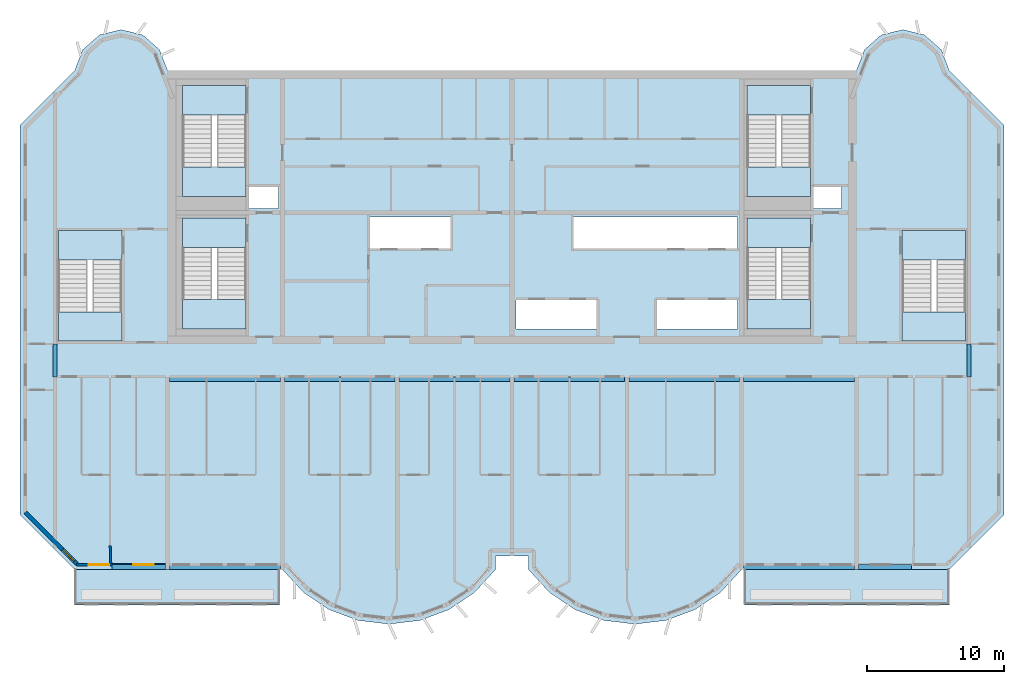
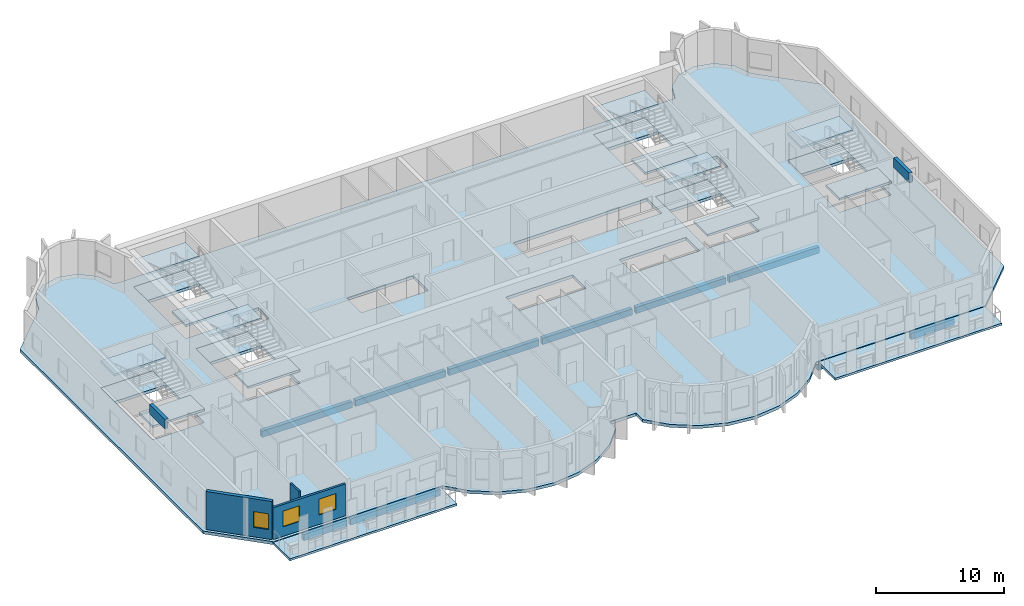
# One storey, part 1 of 11: 21 slabs, 12 beams, 3 walls, 3 windows, 3 openings, 6 elements without a shape of their own.
"""IFC4 building model written with IfcOpenShell, lengths in metres."""

from ifc_helpers import new_model, si_unit, direction, frame, frame_2d, origin, origin_2d, place, context, subcontext, project, spatial, polyline, rectangle, outline, extrude, source, transform, mapped, material, layer, layer_set, material_profile, profile_set, type_object, element, fill, aggregate, save


model = new_model("IFC4")

# Units and contexts
model_context = context("Model", 3, precision=1e-05, world=origin(), true_north=direction((0.0, 1.0)))
body_context = subcontext(model_context, "Body", "Model", "MODEL_VIEW")
ifc_project = project(units=[si_unit("LENGTHUNIT", "METRE"), si_unit("AREAUNIT", "SQUARE_METRE"), si_unit("VOLUMEUNIT", "CUBIC_METRE"), si_unit("PLANEANGLEUNIT", "RADIAN"), si_unit("MASSUNIT", "GRAM", prefix="KILO")], contexts=[model_context])

# Site, building, storey
site_placement = place(None, origin())
site = spatial("IfcSite", under=ifc_project, at=site_placement, CompositionType="ELEMENT")
building_placement = place(site_placement, origin())
building = spatial("IfcBuilding", under=site, at=building_placement, Name="Vanashikhar Sky Hotel", CompositionType="ELEMENT")
storey_placement = place(building_placement, frame((0.0, 0.0, 225.699951171875)))
storey = spatial("IfcBuildingStorey", under=building, at=storey_placement, Name="L54", CompositionType="ELEMENT", Elevation=225.699951171875)

# Beams
ifc_material_1 = material(Name="Concrete M50", Category="concrete")
ifc_material_profile_1 = material_profile(ifc_material_1, rectangle(XDim=0.300048828125, YDim=0.89990234375, at=origin_2d()))
ifc_profile_set_1 = profile_set([ifc_material_profile_1], Name="RC 300x900 beam Concrete M50")
beam_type_1 = type_object("IfcBeamType", Name="RC 300x900 beam Concrete M50", PredefinedType="LINTEL", material=ifc_profile_set_1)
shared_shape_1 = source(origin(), body_context, "Body", "SweptSolid", [
    extrude(rectangle(XDim=0.300048828125, YDim=0.89990234375, at=origin_2d()), origin(), (0.0, 0.0, 1.0), 2.39990234375),
])
for number, where, z_axis, x_axis, name in (
    (1, (16.949951171875, 19.60009765625, 3.170166015625), (0.0, 1.0, 0.0), (-1.0, 0.0, 0.0), "LB-L54-XW03"),
    (2, (83.85009765625, 19.60009765625, 3.170166015625), (0.0, 1.0, 0.0), (-1.0, 0.0, 0.0), "LB-L54-XW11"),
):
    element("IfcBeam", number, at=place(storey_placement, frame(where, z_axis=z_axis, x_axis=x_axis)), inside=storey, type_object=beam_type_1, Name=name, PredefinedType="LINTEL", context=body_context, shape_type="MappedRepresentation", body=[
        mapped(shared_shape_1, transform((0.0, 0.0, 0.0), scale=1.0)),
    ])
ifc_material_profile_2 = material_profile(ifc_material_1, rectangle(XDim=0.35009765625, YDim=0.60009765625, at=origin_2d()))
ifc_profile_set_2 = profile_set([ifc_material_profile_2], Name="RC 350x600 beam Concrete M50")
beam_type_2 = type_object("IfcBeamType", Name="RC 350x600 beam Concrete M50", PredefinedType="SPANDREL", material=ifc_profile_set_2)
shared_shape_2 = source(origin(), body_context, "Body", "SweptSolid", [
    extrude(rectangle(XDim=0.35009765625, YDim=0.60009765625, at=origin_2d()), origin(), (0.0, 0.0, 1.0), 8.099853515625),
])
for number, where, z_axis, x_axis, name in (
    (3, (25.35009765625, 5.675048828125, -0.579833984375), (1.0, 0.0, 0.0), (0.0, 1.0, 0.0), "EB-L54-F01"),
    (4, (67.35009765625, 5.675048828125, -0.579833984375), (1.0, 0.0, 0.0), (0.0, 1.0, 0.0), "EB-L54-F03"),
    (5, (25.35009765625, 19.425048828125, -0.579833984375), (1.0, 0.0, 0.0), (0.0, 1.0, 0.0), "CB-L54-01"),
    (6, (50.550048828125, 19.425048828125, -0.579833984375), (1.0, 0.0, 0.0), (0.0, 1.0, 0.0), "CB-L54-04"),
    (7, (67.35009765625, 19.425048828125, -0.579833984375), (1.0, 0.0, 0.0), (0.0, 1.0, 0.0), "CB-L54-06"),
):
    element("IfcBeam", number, at=place(storey_placement, frame(where, z_axis=z_axis, x_axis=x_axis)), inside=storey, type_object=beam_type_2, Name=name, PredefinedType="SPANDREL", context=body_context, shape_type="MappedRepresentation", body=[
        mapped(shared_shape_2, transform((0.0, 0.0, 0.0), scale=1.0)),
    ])
ifc_material_profile_3 = material_profile(ifc_material_1, rectangle(XDim=0.35009765625, YDim=0.60009765625, at=origin_2d()))
ifc_profile_set_3 = profile_set([ifc_material_profile_3], Name="RC 350x600 cantilever beam Concrete M50")
beam_type_3 = type_object("IfcBeamType", Name="RC 350x600 cantilever beam Concrete M50", PredefinedType="SPANDREL", material=ifc_profile_set_3)
shared_shape_3 = source(origin(), body_context, "Body", "SweptSolid", [
    extrude(rectangle(XDim=0.35009765625, YDim=0.60009765625, at=origin_2d()), origin(), (0.0, 0.0, 1.0), 3.900146484375),
])
beam_1_placement = place(storey_placement, frame((21.14990234375, 5.675048828125, -0.579833984375), z_axis=(1.0, 0.0, 0.0), x_axis=(0.0, 1.0, 0.0)))
element("IfcBeam", 8, at=beam_1_placement, inside=storey, type_object=beam_type_3, Name="EB-L54-F02", PredefinedType="SPANDREL", context=body_context, shape_type="MappedRepresentation", body=[
    mapped(shared_shape_3, transform((0.0, 0.0, 0.0), scale=1.0)),
])
shared_shape_4 = source(origin(), body_context, "Body", "SweptSolid", [
    extrude(rectangle(XDim=0.35009765625, YDim=0.60009765625, at=origin_2d()), origin(), (0.0, 0.0, 1.0), 3.89990234375),
])
beam_2_placement = place(storey_placement, frame((75.75, 5.675048828125, -0.579833984375), z_axis=(1.0, 0.0, 0.0), x_axis=(0.0, 1.0, 0.0)))
element("IfcBeam", 9, at=beam_2_placement, inside=storey, type_object=beam_type_3, Name="EB-L54-F04", PredefinedType="SPANDREL", context=body_context, shape_type="MappedRepresentation", body=[
    mapped(shared_shape_4, transform((0.0, 0.0, 0.0), scale=1.0)),
])
shared_shape_5 = source(origin(), body_context, "Body", "SweptSolid", [
    extrude(rectangle(XDim=0.35009765625, YDim=0.60009765625, at=origin_2d()), origin(), (0.0, 0.0, 1.0), 8.10009765625),
])
for number, where, z_axis, x_axis, name in (
    (10, (33.75, 19.425048828125, -0.579833984375), (1.0, 0.0, 0.0), (0.0, 1.0, 0.0), "CB-L54-02"),
    (11, (42.14990234375, 19.425048828125, -0.579833984375), (1.0, 0.0, 0.0), (0.0, 1.0, 0.0), "CB-L54-03"),
    (12, (58.949951171875, 19.425048828125, -0.579833984375), (1.0, 0.0, 0.0), (0.0, 1.0, 0.0), "CB-L54-05"),
):
    element("IfcBeam", number, at=place(storey_placement, frame(where, z_axis=z_axis, x_axis=x_axis)), inside=storey, type_object=beam_type_2, Name=name, PredefinedType="SPANDREL", context=body_context, shape_type="MappedRepresentation", body=[
        mapped(shared_shape_5, transform((0.0, 0.0, 0.0), scale=1.0)),
    ])

# Slabs
ifc_material_2 = material(Name="Concrete M40", Category="concrete")
ifc_layer_1 = layer(ifc_material_2, 0.280029296875)
ifc_layer_set_1 = layer_set([ifc_layer_1], Name="Floor slab 280 mm")
slab_type_1 = type_object("IfcSlabType", Name="Floor slab 280 mm", PredefinedType="FLOOR", material=ifc_layer_set_1)
shared_shape_6 = source(origin(), body_context, "Body", "SweptSolid", [
    extrude(outline(polyline([(49.199951171875, 5.5), (49.199951171875, 6.5), (51.60009765625, 6.5), (51.60009765625, 5.5), (53.133056640625, 3.825927734375), (55.01708984375, 2.55810546875), (57.14599609375, 1.76806640625), (59.39990234375, 1.5), (61.654052734375, 1.76806640625), (63.782958984375, 2.55810546875), (65.6669921875, 3.825927734375), (67.199951171875, 5.5), (82.39990234375, 5.5), (86.39990234375, 9.5), (86.39990234375, 38.0), (82.39990234375, 42.0), (81.81494140625, 43.527099609375), (80.587890625, 44.610107421875), (79.0, 45.0), (77.412109375, 44.610107421875), (76.18505859375, 43.527099609375), (75.60009765625, 42.0), (25.199951171875, 42.0), (24.614990234375, 43.527099609375), (23.387939453125, 44.610107421875), (21.800048828125, 45.0), (20.2119140625, 44.610107421875), (18.985107421875, 43.527099609375), (18.39990234375, 42.0), (14.39990234375, 38.0), (14.39990234375, 9.5), (18.39990234375, 5.5), (33.60009765625, 5.5), (35.133056640625, 3.825927734375), (37.01708984375, 2.55810546875), (39.14599609375, 1.76806640625), (41.39990234375, 1.5), (43.654052734375, 1.76806640625), (45.782958984375, 2.55810546875), (47.6669921875, 3.825927734375), (49.199951171875, 5.5)]), holes=[polyline([(33.300048828125, 33.60009765625), (31.050048828125, 33.60009765625), (31.050048828125, 31.89990234375), (33.300048828125, 31.89990234375), (33.300048828125, 33.60009765625)]), polyline([(39.89990234375, 31.300048828125), (39.89990234375, 29.0), (45.89990234375, 29.0), (45.89990234375, 31.300048828125), (39.89990234375, 31.300048828125)]), polyline([(50.699951171875, 25.199951171875), (50.699951171875, 23.10009765625), (56.699951171875, 23.10009765625), (56.699951171875, 25.199951171875), (50.699951171875, 25.199951171875)]), polyline([(66.89990234375, 29.0), (66.89990234375, 31.300048828125), (54.89990234375, 31.300048828125), (54.89990234375, 29.0), (66.89990234375, 29.0)]), polyline([(60.89990234375, 25.199951171875), (60.89990234375, 23.10009765625), (66.89990234375, 23.10009765625), (66.89990234375, 25.199951171875), (60.89990234375, 25.199951171875)]), polyline([(74.5, 33.60009765625), (72.35009765625, 33.60009765625), (72.35009765625, 31.89990234375), (74.5, 31.89990234375), (74.5, 33.60009765625)]), polyline([(30.949951171875, 23.10009765625), (30.949951171875, 31.199951171875), (26.300048828125, 31.199951171875), (26.300048828125, 23.10009765625), (30.949951171875, 23.10009765625)]), polyline([(72.25, 23.10009765625), (72.25, 31.199951171875), (67.60009765625, 31.199951171875), (67.60009765625, 23.10009765625), (72.25, 23.10009765625)]), polyline([(30.949951171875, 32.800048828125), (30.949951171875, 40.89990234375), (26.300048828125, 40.89990234375), (26.300048828125, 32.800048828125), (30.949951171875, 32.800048828125)]), polyline([(72.25, 32.800048828125), (72.25, 40.89990234375), (67.60009765625, 40.89990234375), (67.60009765625, 32.800048828125), (72.25, 32.800048828125)]), polyline([(83.60009765625, 22.199951171875), (83.60009765625, 30.300048828125), (78.949951171875, 30.300048828125), (78.949951171875, 22.199951171875), (83.60009765625, 22.199951171875)]), polyline([(21.85009765625, 22.199951171875), (21.85009765625, 30.300048828125), (17.199951171875, 30.300048828125), (17.199951171875, 22.199951171875), (21.85009765625, 22.199951171875)])]), origin(), (0.0, 0.0, 1.0), 0.280029296875),
])
slab_1_placement = place(storey_placement, frame((0.0, 0.0, -0.280029296875)))
element("IfcSlab", 13, at=slab_1_placement, inside=storey, type_object=slab_type_1, Name="Floor slab L54", PredefinedType="FLOOR", context=body_context, shape_type="MappedRepresentation", body=[
    mapped(shared_shape_6, transform((0.0, 0.0, 0.0), scale=1.0)),
])
ifc_layer_2 = layer(ifc_material_2, 0.199951171875)
ifc_layer_set_2 = layer_set([ifc_layer_2], Name="Balcony slab 200 mm")
slab_type_2 = type_object("IfcSlabType", Name="Balcony slab 200 mm", PredefinedType="USERDEFINED", material=ifc_layer_set_2)
shared_shape_7 = source(origin(), body_context, "Body", "SweptSolid", [
    extrude(outline(polyline([(18.39990234375, 2.89990234375), (33.39990234375, 2.89990234375), (33.39990234375, 5.5), (18.39990234375, 5.5), (18.39990234375, 2.89990234375)])), origin(), (0.0, 0.0, 1.0), 0.199951171875),
])
slab_2_placement = place(storey_placement, frame((0.0, 0.0, -0.25)))
element("IfcSlab", 14, at=slab_2_placement, inside=storey, type_object=slab_type_2, Name="Balcony slab L54 1", ObjectType="BALCONY", PredefinedType="USERDEFINED", context=body_context, shape_type="MappedRepresentation", body=[
    mapped(shared_shape_7, transform((0.0, 0.0, 0.0), scale=1.0)),
])
shared_shape_8 = source(origin(), body_context, "Body", "SweptSolid", [
    extrude(outline(polyline([(67.39990234375, 2.89990234375), (82.39990234375, 2.89990234375), (82.39990234375, 5.5), (67.39990234375, 5.5), (67.39990234375, 2.89990234375)])), origin(), (0.0, 0.0, 1.0), 0.199951171875),
])
slab_3_placement = place(storey_placement, frame((0.0, 0.0, -0.25)))
element("IfcSlab", 15, at=slab_3_placement, inside=storey, type_object=slab_type_2, Name="Balcony slab L54 2", ObjectType="BALCONY", PredefinedType="USERDEFINED", context=body_context, shape_type="MappedRepresentation", body=[
    mapped(shared_shape_8, transform((0.0, 0.0, 0.0), scale=1.0)),
])

# Stair, slabs
stair_type = type_object("IfcStairType", Name="Exit stair 2150", PredefinedType="DOUBLE_RETURN_STAIR", material=ifc_material_2)
stair_1_placement = place(storey_placement, origin())
stair_1 = element("IfcStair", 16, at=stair_1_placement, inside=storey, type_object=stair_type, Name="L54 Exit stair 1", PredefinedType="DOUBLE_RETURN_STAIR")
ifc_layer_3 = layer(ifc_material_2, 0.199951171875)
ifc_layer_set_3 = layer_set([ifc_layer_3], Name="Stair landing 200")
slab_type_3 = type_object("IfcSlabType", Name="Stair landing 200", PredefinedType="LANDING", material=ifc_layer_set_3)
shared_shape_9 = source(origin(), body_context, "Body", "SweptSolid", [
    extrude(outline(polyline([(30.949951171875, 29.050048828125), (30.949951171875, 31.199951171875), (26.300048828125, 31.199951171875), (26.300048828125, 29.050048828125), (30.949951171875, 29.050048828125)])), origin(), (0.0, 0.0, 1.0), 0.199951171875),
])
slab_4_placement = place(storey_placement, frame((0.0, 0.0, 2.400146484375)))
slab_4 = element("IfcSlab", 17, at=slab_4_placement, type_object=slab_type_3, Name="ST-C1 landing 2", PredefinedType="LANDING", context=body_context, shape_type="MappedRepresentation", body=[
    mapped(shared_shape_9, transform((0.0, 0.0, 0.0), scale=1.0)),
])
shared_shape_10 = source(origin(), body_context, "Body", "SweptSolid", [
    extrude(outline(polyline([(30.949951171875, 23.10009765625), (30.949951171875, 25.25), (26.300048828125, 25.25), (26.300048828125, 23.10009765625), (30.949951171875, 23.10009765625)])), origin(), (0.0, 0.0, 1.0), 0.199951171875),
])
slab_5_placement = place(storey_placement, frame((0.0, 0.0, 1.10009765625)))
slab_5 = element("IfcSlab", 18, at=slab_5_placement, type_object=slab_type_3, Name="ST-C1 landing 1", PredefinedType="LANDING", context=body_context, shape_type="MappedRepresentation", body=[
    mapped(shared_shape_10, transform((0.0, 0.0, 0.0), scale=1.0)),
])
aggregate(stair_1, [slab_5, slab_4])

# Slab
ifc_layer_4 = layer(ifc_material_2, 0.280029296875)
ifc_layer_set_4 = layer_set([ifc_layer_4], Name="Stair floor landing 280")
slab_type_4 = type_object("IfcSlabType", Name="Stair floor landing 280", PredefinedType="LANDING", material=ifc_layer_set_4)
shared_shape_11 = source(origin(), body_context, "Body", "SweptSolid", [
    extrude(outline(polyline([(30.949951171875, 29.050048828125), (30.949951171875, 31.199951171875), (26.300048828125, 31.199951171875), (26.300048828125, 29.050048828125), (30.949951171875, 29.050048828125)])), origin(), (0.0, 0.0, 1.0), 0.280029296875),
])
slab_6_placement = place(storey_placement, frame((0.0, 0.0, -0.280029296875)))
element("IfcSlab", 19, at=slab_6_placement, inside=storey, type_object=slab_type_4, Name="Exit stair 1 floor landing", PredefinedType="LANDING", context=body_context, shape_type="MappedRepresentation", body=[
    mapped(shared_shape_11, transform((0.0, 0.0, 0.0), scale=1.0)),
])

# Stair, slabs
stair_2_placement = place(storey_placement, origin())
stair_2 = element("IfcStair", 20, at=stair_2_placement, inside=storey, type_object=stair_type, Name="L54 Exit stair 2", PredefinedType="DOUBLE_RETURN_STAIR")
shared_shape_12 = source(origin(), body_context, "Body", "SweptSolid", [
    extrude(outline(polyline([(72.25, 29.050048828125), (72.25, 31.199951171875), (67.60009765625, 31.199951171875), (67.60009765625, 29.050048828125), (72.25, 29.050048828125)])), origin(), (0.0, 0.0, 1.0), 0.199951171875),
])
slab_7_placement = place(storey_placement, frame((0.0, 0.0, 2.400146484375)))
slab_7 = element("IfcSlab", 21, at=slab_7_placement, type_object=slab_type_3, Name="ST-C2 landing 2", PredefinedType="LANDING", context=body_context, shape_type="MappedRepresentation", body=[
    mapped(shared_shape_12, transform((0.0, 0.0, 0.0), scale=1.0)),
])
shared_shape_13 = source(origin(), body_context, "Body", "SweptSolid", [
    extrude(outline(polyline([(72.25, 23.10009765625), (72.25, 25.25), (67.60009765625, 25.25), (67.60009765625, 23.10009765625), (72.25, 23.10009765625)])), origin(), (0.0, 0.0, 1.0), 0.199951171875),
])
slab_8_placement = place(storey_placement, frame((0.0, 0.0, 1.10009765625)))
slab_8 = element("IfcSlab", 22, at=slab_8_placement, type_object=slab_type_3, Name="ST-C2 landing 1", PredefinedType="LANDING", context=body_context, shape_type="MappedRepresentation", body=[
    mapped(shared_shape_13, transform((0.0, 0.0, 0.0), scale=1.0)),
])
aggregate(stair_2, [slab_8, slab_7])

# Slab
shared_shape_14 = source(origin(), body_context, "Body", "SweptSolid", [
    extrude(outline(polyline([(72.25, 29.050048828125), (72.25, 31.199951171875), (67.60009765625, 31.199951171875), (67.60009765625, 29.050048828125), (72.25, 29.050048828125)])), origin(), (0.0, 0.0, 1.0), 0.280029296875),
])
slab_9_placement = place(storey_placement, frame((0.0, 0.0, -0.280029296875)))
element("IfcSlab", 23, at=slab_9_placement, inside=storey, type_object=slab_type_4, Name="Exit stair 2 floor landing", PredefinedType="LANDING", context=body_context, shape_type="MappedRepresentation", body=[
    mapped(shared_shape_14, transform((0.0, 0.0, 0.0), scale=1.0)),
])

# Stair, slabs
stair_3_placement = place(storey_placement, origin())
stair_3 = element("IfcStair", 24, at=stair_3_placement, inside=storey, type_object=stair_type, Name="L54 Exit stair 3", PredefinedType="DOUBLE_RETURN_STAIR")
shared_shape_15 = source(origin(), body_context, "Body", "SweptSolid", [
    extrude(outline(polyline([(21.85009765625, 28.14990234375), (21.85009765625, 30.300048828125), (17.199951171875, 30.300048828125), (17.199951171875, 28.14990234375), (21.85009765625, 28.14990234375)])), origin(), (0.0, 0.0, 1.0), 0.199951171875),
])
slab_10_placement = place(storey_placement, frame((0.0, 0.0, 2.400146484375)))
slab_10 = element("IfcSlab", 25, at=slab_10_placement, type_object=slab_type_3, Name="ST-W landing 2", PredefinedType="LANDING", context=body_context, shape_type="MappedRepresentation", body=[
    mapped(shared_shape_15, transform((0.0, 0.0, 0.0), scale=1.0)),
])
shared_shape_16 = source(origin(), body_context, "Body", "SweptSolid", [
    extrude(outline(polyline([(21.85009765625, 22.199951171875), (21.85009765625, 24.35009765625), (17.199951171875, 24.35009765625), (17.199951171875, 22.199951171875), (21.85009765625, 22.199951171875)])), origin(), (0.0, 0.0, 1.0), 0.199951171875),
])
slab_11_placement = place(storey_placement, frame((0.0, 0.0, 1.10009765625)))
slab_11 = element("IfcSlab", 26, at=slab_11_placement, type_object=slab_type_3, Name="ST-W landing 1", PredefinedType="LANDING", context=body_context, shape_type="MappedRepresentation", body=[
    mapped(shared_shape_16, transform((0.0, 0.0, 0.0), scale=1.0)),
])
aggregate(stair_3, [slab_11, slab_10])

# Slab
shared_shape_17 = source(origin(), body_context, "Body", "SweptSolid", [
    extrude(outline(polyline([(21.85009765625, 28.14990234375), (21.85009765625, 30.300048828125), (17.199951171875, 30.300048828125), (17.199951171875, 28.14990234375), (21.85009765625, 28.14990234375)])), origin(), (0.0, 0.0, 1.0), 0.280029296875),
])
slab_12_placement = place(storey_placement, frame((0.0, 0.0, -0.280029296875)))
element("IfcSlab", 27, at=slab_12_placement, inside=storey, type_object=slab_type_4, Name="Exit stair 3 floor landing", PredefinedType="LANDING", context=body_context, shape_type="MappedRepresentation", body=[
    mapped(shared_shape_17, transform((0.0, 0.0, 0.0), scale=1.0)),
])

# Stair, slabs
stair_4_placement = place(storey_placement, origin())
stair_4 = element("IfcStair", 28, at=stair_4_placement, inside=storey, type_object=stair_type, Name="L54 Exit stair 4", PredefinedType="DOUBLE_RETURN_STAIR")
shared_shape_18 = source(origin(), body_context, "Body", "SweptSolid", [
    extrude(outline(polyline([(83.60009765625, 28.14990234375), (83.60009765625, 30.300048828125), (78.949951171875, 30.300048828125), (78.949951171875, 28.14990234375), (83.60009765625, 28.14990234375)])), origin(), (0.0, 0.0, 1.0), 0.199951171875),
])
slab_13_placement = place(storey_placement, frame((0.0, 0.0, 2.400146484375)))
slab_13 = element("IfcSlab", 29, at=slab_13_placement, type_object=slab_type_3, Name="ST-E landing 2", PredefinedType="LANDING", context=body_context, shape_type="MappedRepresentation", body=[
    mapped(shared_shape_18, transform((0.0, 0.0, 0.0), scale=1.0)),
])
shared_shape_19 = source(origin(), body_context, "Body", "SweptSolid", [
    extrude(outline(polyline([(83.60009765625, 22.199951171875), (83.60009765625, 24.35009765625), (78.949951171875, 24.35009765625), (78.949951171875, 22.199951171875), (83.60009765625, 22.199951171875)])), origin(), (0.0, 0.0, 1.0), 0.199951171875),
])
slab_14_placement = place(storey_placement, frame((0.0, 0.0, 1.10009765625)))
slab_14 = element("IfcSlab", 30, at=slab_14_placement, type_object=slab_type_3, Name="ST-E landing 1", PredefinedType="LANDING", context=body_context, shape_type="MappedRepresentation", body=[
    mapped(shared_shape_19, transform((0.0, 0.0, 0.0), scale=1.0)),
])
aggregate(stair_4, [slab_14, slab_13])

# Slab
shared_shape_20 = source(origin(), body_context, "Body", "SweptSolid", [
    extrude(outline(polyline([(83.60009765625, 28.14990234375), (83.60009765625, 30.300048828125), (78.949951171875, 30.300048828125), (78.949951171875, 28.14990234375), (83.60009765625, 28.14990234375)])), origin(), (0.0, 0.0, 1.0), 0.280029296875),
])
slab_15_placement = place(storey_placement, frame((0.0, 0.0, -0.280029296875)))
element("IfcSlab", 31, at=slab_15_placement, inside=storey, type_object=slab_type_4, Name="Exit stair 4 floor landing", PredefinedType="LANDING", context=body_context, shape_type="MappedRepresentation", body=[
    mapped(shared_shape_20, transform((0.0, 0.0, 0.0), scale=1.0)),
])

# Stair, slabs
stair_5_placement = place(storey_placement, origin())
stair_5 = element("IfcStair", 32, at=stair_5_placement, inside=storey, type_object=stair_type, Name="L54 Exit stair 5", PredefinedType="DOUBLE_RETURN_STAIR")
shared_shape_21 = source(origin(), body_context, "Body", "SweptSolid", [
    extrude(outline(polyline([(30.949951171875, 38.75), (30.949951171875, 40.89990234375), (26.300048828125, 40.89990234375), (26.300048828125, 38.75), (30.949951171875, 38.75)])), origin(), (0.0, 0.0, 1.0), 0.199951171875),
])
slab_16_placement = place(storey_placement, frame((0.0, 0.0, 2.400146484375)))
slab_16 = element("IfcSlab", 33, at=slab_16_placement, type_object=slab_type_3, Name="ST-C3 landing 2", PredefinedType="LANDING", context=body_context, shape_type="MappedRepresentation", body=[
    mapped(shared_shape_21, transform((0.0, 0.0, 0.0), scale=1.0)),
])
shared_shape_22 = source(origin(), body_context, "Body", "SweptSolid", [
    extrude(outline(polyline([(30.949951171875, 32.800048828125), (30.949951171875, 34.949951171875), (26.300048828125, 34.949951171875), (26.300048828125, 32.800048828125), (30.949951171875, 32.800048828125)])), origin(), (0.0, 0.0, 1.0), 0.199951171875),
])
slab_17_placement = place(storey_placement, frame((0.0, 0.0, 1.10009765625)))
slab_17 = element("IfcSlab", 34, at=slab_17_placement, type_object=slab_type_3, Name="ST-C3 landing 1", PredefinedType="LANDING", context=body_context, shape_type="MappedRepresentation", body=[
    mapped(shared_shape_22, transform((0.0, 0.0, 0.0), scale=1.0)),
])
aggregate(stair_5, [slab_17, slab_16])

# Slab
shared_shape_23 = source(origin(), body_context, "Body", "SweptSolid", [
    extrude(outline(polyline([(30.949951171875, 38.75), (30.949951171875, 40.89990234375), (26.300048828125, 40.89990234375), (26.300048828125, 38.75), (30.949951171875, 38.75)])), origin(), (0.0, 0.0, 1.0), 0.280029296875),
])
slab_18_placement = place(storey_placement, frame((0.0, 0.0, -0.280029296875)))
element("IfcSlab", 35, at=slab_18_placement, inside=storey, type_object=slab_type_4, Name="Exit stair 5 floor landing", PredefinedType="LANDING", context=body_context, shape_type="MappedRepresentation", body=[
    mapped(shared_shape_23, transform((0.0, 0.0, 0.0), scale=1.0)),
])

# Stair, slabs
stair_6_placement = place(storey_placement, origin())
stair_6 = element("IfcStair", 36, at=stair_6_placement, inside=storey, type_object=stair_type, Name="L54 Exit stair 6", PredefinedType="DOUBLE_RETURN_STAIR")
shared_shape_24 = source(origin(), body_context, "Body", "SweptSolid", [
    extrude(outline(polyline([(72.25, 38.75), (72.25, 40.89990234375), (67.60009765625, 40.89990234375), (67.60009765625, 38.75), (72.25, 38.75)])), origin(), (0.0, 0.0, 1.0), 0.199951171875),
])
slab_19_placement = place(storey_placement, frame((0.0, 0.0, 2.400146484375)))
slab_19 = element("IfcSlab", 37, at=slab_19_placement, type_object=slab_type_3, Name="ST-C4 landing 2", PredefinedType="LANDING", context=body_context, shape_type="MappedRepresentation", body=[
    mapped(shared_shape_24, transform((0.0, 0.0, 0.0), scale=1.0)),
])
shared_shape_25 = source(origin(), body_context, "Body", "SweptSolid", [
    extrude(outline(polyline([(72.25, 32.800048828125), (72.25, 34.949951171875), (67.60009765625, 34.949951171875), (67.60009765625, 32.800048828125), (72.25, 32.800048828125)])), origin(), (0.0, 0.0, 1.0), 0.199951171875),
])
slab_20_placement = place(storey_placement, frame((0.0, 0.0, 1.10009765625)))
slab_20 = element("IfcSlab", 38, at=slab_20_placement, type_object=slab_type_3, Name="ST-C4 landing 1", PredefinedType="LANDING", context=body_context, shape_type="MappedRepresentation", body=[
    mapped(shared_shape_25, transform((0.0, 0.0, 0.0), scale=1.0)),
])
aggregate(stair_6, [slab_20, slab_19])

# Slab
shared_shape_26 = source(origin(), body_context, "Body", "SweptSolid", [
    extrude(outline(polyline([(72.25, 38.75), (72.25, 40.89990234375), (67.60009765625, 40.89990234375), (67.60009765625, 38.75), (72.25, 38.75)])), origin(), (0.0, 0.0, 1.0), 0.280029296875),
])
slab_21_placement = place(storey_placement, frame((0.0, 0.0, -0.280029296875)))
element("IfcSlab", 39, at=slab_21_placement, inside=storey, type_object=slab_type_4, Name="Exit stair 6 floor landing", PredefinedType="LANDING", context=body_context, shape_type="MappedRepresentation", body=[
    mapped(shared_shape_26, transform((0.0, 0.0, 0.0), scale=1.0)),
])

# Wall, openings, windows
ifc_layer_5 = layer(ifc_material_1, 0.199951171875)
ifc_layer_set_5 = layer_set([ifc_layer_5], Name="Front window wall 200")
wall_type_1 = type_object("IfcWallType", Name="Front window wall 200", PredefinedType="SOLIDWALL", material=ifc_layer_set_5)
shared_shape_27 = source(origin(), body_context, "Body", "SweptSolid", [
    extrude(rectangle(XDim=6.505126953125, YDim=0.199951171875, at=frame_2d((3.25244140625, 0.0))), origin(), (0.0, 0.0, 1.0), 3.02001953125),
])
wall_1_placement = place(storey_placement, frame((18.544921875, 5.85009765625, 0.0), z_axis=(0.0, 0.0, 1.0), x_axis=(1.0, 0.0, 0.0)))
wall_1 = element("IfcWall", 40, at=wall_1_placement, inside=storey, type_object=wall_type_1, Name="Front window wall", PredefinedType="SOLIDWALL", context=body_context, shape_type="MappedRepresentation", body=[
    mapped(shared_shape_27, transform((0.0, 0.0, 0.0), scale=1.0)),
])
shared_shape_28 = source(origin(), body_context, "Body", "SweptSolid", [
    extrude(rectangle(XDim=1.5, YDim=1.5, at=frame_2d((0.75, 0.75))), frame((0.0, 0.10986328125, 0.0), z_axis=(0.0, -1.0, 0.0), x_axis=(1.0, 0.0, 0.0)), (0.0, 0.0, 1.0), 0.219970703125),
])
opening_1_placement = place(wall_1_placement, frame((0.876220703125, 0.0, 0.89990234375)))
opening_1 = element("IfcOpeningElement", 41, at=opening_1_placement, cuts=wall_1, Name="Opening WN-1", PredefinedType="OPENING", context=body_context, shape_type="MappedRepresentation", body=[
    mapped(shared_shape_28, transform((0.0, 0.0, 0.0), scale=1.0)),
])
opening_2_placement = place(wall_1_placement, frame((4.128662109375, 0.0, 0.89990234375)))
opening_2 = element("IfcOpeningElement", 42, at=opening_2_placement, cuts=wall_1, Name="Opening WN-1", PredefinedType="OPENING", context=body_context, shape_type="MappedRepresentation", body=[
    mapped(shared_shape_28, transform((0.0, 0.0, 0.0), scale=1.0)),
])
ifc_material_3 = material(Name="Glass", Category="glass")
window_type_1 = type_object("IfcWindowType", Name="Window 1500 x 1500", PartitioningType="SINGLE_PANEL", PredefinedType="WINDOW", material=ifc_material_3)
shared_shape_29 = source(origin(), body_context, "Body", "SweptSolid", [
    extrude(rectangle(XDim=1.5, YDim=1.5, at=frame_2d((0.75, 0.75))), frame((0.0, 0.030029296875, 0.0), z_axis=(0.0, -1.0, 0.0), x_axis=(1.0, 0.0, 0.0)), (0.0, 0.0, 1.0), 0.06005859375),
])
window_1_placement = place(opening_1_placement, origin())
window_1 = element("IfcWindow", 43, at=window_1_placement, inside=storey, type_object=window_type_1, Name="Window WN-1", OverallHeight=1.5, OverallWidth=1.5, PartitioningType="SINGLE_PANEL", PredefinedType="WINDOW", context=body_context, shape_type="MappedRepresentation", body=[
    mapped(shared_shape_29, transform((0.0, 0.0, 0.0), scale=1.0)),
])
fill(opening_1, window_1)
window_2_placement = place(opening_2_placement, origin())
window_2 = element("IfcWindow", 44, at=window_2_placement, inside=storey, type_object=window_type_1, Name="Window WN-1", OverallHeight=1.5, OverallWidth=1.5, PartitioningType="SINGLE_PANEL", PredefinedType="WINDOW", context=body_context, shape_type="MappedRepresentation", body=[
    mapped(shared_shape_29, transform((0.0, 0.0, 0.0), scale=1.0)),
])
fill(opening_2, window_2)

# Wall, opening, window
ifc_layer_6 = layer(ifc_material_1, 0.300048828125)
ifc_layer_set_6 = layer_set([ifc_layer_6], Name="Lobe wall 300")
wall_type_2 = type_object("IfcWallType", Name="Lobe wall 300", PredefinedType="SOLIDWALL", material=ifc_layer_set_6)
shared_shape_30 = source(origin(), body_context, "Body", "SweptSolid", [
    extrude(rectangle(XDim=5.32568359375, YDim=0.300048828125, at=frame_2d((2.662841796875, 0.0))), origin(), (0.0, 0.0, 1.0), 3.6201171875),
])
wall_2_placement = place(storey_placement, frame((14.800048828125, 9.665771484375, 0.0), z_axis=(0.0, 0.0, 1.0), x_axis=(0.707083859269, -0.707129702361, 0.0)))
wall_2 = element("IfcWall", 45, at=wall_2_placement, inside=storey, type_object=wall_type_2, Name="Corner wall", PredefinedType="SOLIDWALL", context=body_context, shape_type="MappedRepresentation", body=[
    mapped(shared_shape_30, transform((0.0, 0.0, 0.0), scale=1.0)),
])
shared_shape_31 = source(origin(), body_context, "Body", "SweptSolid", [
    extrude(rectangle(XDim=1.199951171875, YDim=1.5, at=frame_2d((0.60009765625, 0.75))), frame((0.0, 0.16015625, 0.0), z_axis=(0.0, -1.0, 0.0), x_axis=(1.0, 0.0, 0.0)), (0.0, 0.0, 1.0), 0.320068359375),
])
opening_3_placement = place(wall_2_placement, frame((3.8330078125, 0.0, 0.89990234375)))
opening_3 = element("IfcOpeningElement", 46, at=opening_3_placement, cuts=wall_2, Name="Opening WN-3", PredefinedType="OPENING", context=body_context, shape_type="MappedRepresentation", body=[
    mapped(shared_shape_31, transform((0.0, 0.0, 0.0), scale=1.0)),
])
window_type_2 = type_object("IfcWindowType", Name="Corridor end window 1200 x 1500", PartitioningType="SINGLE_PANEL", PredefinedType="WINDOW", material=ifc_material_3)
shared_shape_32 = source(origin(), body_context, "Body", "SweptSolid", [
    extrude(rectangle(XDim=1.199951171875, YDim=1.5, at=frame_2d((0.60009765625, 0.75))), frame((0.0, 0.030029296875, 0.0), z_axis=(0.0, -1.0, 0.0), x_axis=(1.0, 0.0, 0.0)), (0.0, 0.0, 1.0), 0.06005859375),
])
window_3_placement = place(opening_3_placement, origin())
window_3 = element("IfcWindow", 47, at=window_3_placement, inside=storey, type_object=window_type_2, Name="Window WN-3", OverallHeight=1.5, OverallWidth=1.199951171875, PartitioningType="SINGLE_PANEL", PredefinedType="WINDOW", context=body_context, shape_type="MappedRepresentation", body=[
    mapped(shared_shape_32, transform((0.0, 0.0, 0.0), scale=1.0)),
])
fill(opening_3, window_3)

# Wall
ifc_material_4 = material(Name="Gypsum plasterboard partition")
ifc_layer_7 = layer(ifc_material_4, 0.14990234375)
ifc_layer_set_7 = layer_set([ifc_layer_7], Name="Corridor and demising partition 150")
wall_type_3 = type_object("IfcWallType", Name="Corridor and demising partition 150", PredefinedType="PARTITIONING", material=ifc_layer_set_7)
shared_shape_33 = source(origin(), body_context, "Body", "SweptSolid", [
    extrude(rectangle(XDim=1.30078125, YDim=0.14990234375, at=frame_2d((0.650390625, 0.0))), origin(), (0.0, 0.0, 1.0), 3.6201171875),
])
wall_3_placement = place(storey_placement, frame((21.041015625, 5.949951171875, 0.0), z_axis=(0.0, 0.0, 1.0), x_axis=(-0.031533606063, 0.999502692187, 0.0)))
element("IfcWall", 48, at=wall_3_placement, inside=storey, type_object=wall_type_3, Name="W-L54-PW007B0", PredefinedType="PARTITIONING", context=body_context, shape_type="MappedRepresentation", body=[
    mapped(shared_shape_33, transform((0.0, 0.0, 0.0), scale=1.0)),
])

save(model, "model.ifc")
